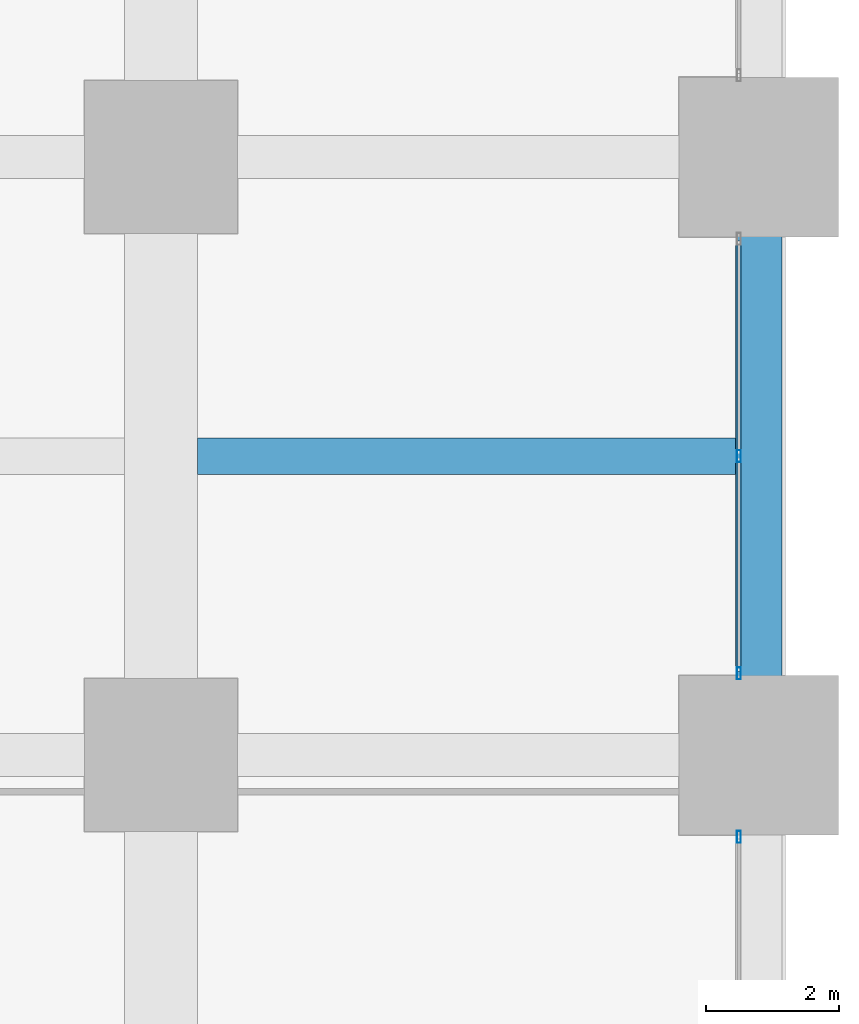
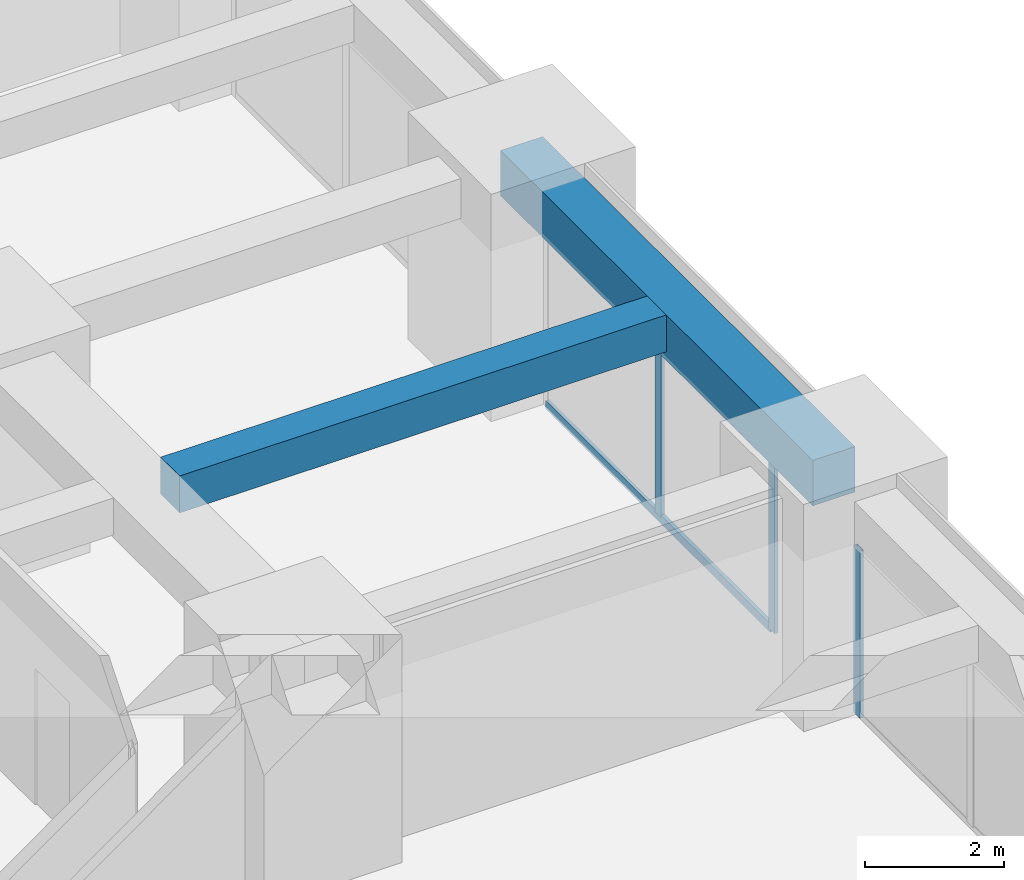
# One storey, part 20 of 45: 4 members, 2 beams, 2 elements without a shape of their own.
"""IFC4 building model written with IfcOpenShell, lengths in metres."""

from ifc_helpers import new_model, si_unit, direction, frame, origin, origin_2d, place, context, subcontext, project, spatial, rectangle, hollow_rectangle, extrude, material, material_profile, profile_set, type_object, element, aggregate, save


model = new_model("IFC4")

# Units and contexts
model_context = context("Model", 3, precision=1e-05, world=origin(), true_north=direction((0.0, 1.0)))
body_context = subcontext(model_context, "Body", "Model", "MODEL_VIEW")
ifc_project = project(units=[si_unit("LENGTHUNIT", "METRE"), si_unit("AREAUNIT", "SQUARE_METRE"), si_unit("VOLUMEUNIT", "CUBIC_METRE"), si_unit("PLANEANGLEUNIT", "RADIAN"), si_unit("MASSUNIT", "GRAM", prefix="KILO")], contexts=[model_context])

# Site, building, storey
site_placement = place(None, origin())
site = spatial("IfcSite", under=ifc_project, at=site_placement, CompositionType="ELEMENT")
building_placement = place(site_placement, origin())
building = spatial("IfcBuilding", under=site, at=building_placement, Name="Zorevar Civic Tower", CompositionType="ELEMENT")
storey_placement = place(building_placement, frame((0.0, 0.0, 47.800048828125)))
storey = spatial("IfcBuildingStorey", under=building, at=storey_placement, Name="L11", CompositionType="ELEMENT", Elevation=47.800048828125)

# Beam
ifc_material_1 = material(Name="Concrete C50/60", Category="concrete")
ifc_material_profile_1 = material_profile(ifc_material_1, rectangle(XDim=0.550048828125, YDim=0.64990234375, at=origin_2d()), Name="RC 550x650")
ifc_profile_set_1 = profile_set([ifc_material_profile_1], Name="Concrete C50/60")
beam_type_1 = type_object("IfcBeamType", Name="Beam RC 550x650", PredefinedType="BEAM", material=ifc_profile_set_1)
beam_1_placement = place(storey_placement, frame((54.550048828125, 22.5, 3.425048828125), z_axis=(1.0, 0.0, 0.0), x_axis=(0.0, 1.0, 0.0)))
element("IfcBeam", 1, at=beam_1_placement, inside=storey, type_object=beam_type_1, Name="Secondary beam L12", PredefinedType="BEAM", context=body_context, shape_type="SweptSolid", body=[
    extrude(rectangle(XDim=0.550048828125, YDim=0.64990234375, at=origin_2d()), origin(), (0.0, 0.0, 1.0), 8.099853515625),
])

# Curtain wall, member
ifc_material_2 = material(Name="Dark grey solar-control glass in black aluminium frame", Category="aluminium")
curtain_wall_type = type_object("IfcCurtainWallType", Name="Curtain wall CW2 low zone", PredefinedType="NOTDEFINED", material=ifc_material_2)
curtain_wall_1_placement = place(storey_placement, origin())
curtain_wall_1 = element("IfcCurtainWall", 2, at=curtain_wall_1_placement, inside=storey, type_object=curtain_wall_type, Name="CW2 L11", PredefinedType="NOTDEFINED")
ifc_material_3 = material(Name="Aluminium, black anodised", Category="aluminium")
ifc_material_profile_2 = material_profile(ifc_material_3, hollow_rectangle(XDim=0.06005859375, YDim=0.179931640625, WallThickness=0.00390625, at=origin_2d()), Name="AL 180x60x4")
ifc_profile_set_2 = profile_set([ifc_material_profile_2], Name="Aluminium, black anodised")
member_type_1 = type_object("IfcMemberType", Name="CW2 mullion AL 180x60x4", PredefinedType="MULLION", material=ifc_profile_set_2)
member_1_placement = place(storey_placement, frame((62.699951171875, 16.77001953125, 0.0), z_axis=(0.0, 0.0, 1.0), x_axis=(-1.0, 0.0, 0.0)))
member_1 = element("IfcMember", 3, at=member_1_placement, type_object=member_type_1, Name="CW2 mullion 3", PredefinedType="MULLION", context=body_context, shape_type="SweptSolid", body=[
    extrude(hollow_rectangle(XDim=0.06005859375, YDim=0.179931640625, WallThickness=0.00390625, at=origin_2d()), origin(), (0.0, 0.0, 1.0), 2.949951171875),
])
aggregate(curtain_wall_1, [member_1])

# Curtain wall, members
curtain_wall_2_placement = place(storey_placement, origin())
curtain_wall_2 = element("IfcCurtainWall", 4, at=curtain_wall_2_placement, inside=storey, type_object=curtain_wall_type, Name="CW2 L11", PredefinedType="NOTDEFINED")
member_2_placement = place(storey_placement, frame((62.699951171875, 19.22998046875, 0.0), z_axis=(0.0, 0.0, 1.0), x_axis=(-1.0, 0.0, 0.0)))
member_2 = element("IfcMember", 5, at=member_2_placement, type_object=member_type_1, Name="CW2 mullion 1", PredefinedType="MULLION", context=body_context, shape_type="SweptSolid", body=[
    extrude(hollow_rectangle(XDim=0.06005859375, YDim=0.179931640625, WallThickness=0.00390625, at=origin_2d()), origin(), (0.0, 0.0, 1.0), 2.949951171875),
])
member_3_placement = place(storey_placement, frame((62.699951171875, 22.5, 0.06005859375), z_axis=(0.0, 0.0, 1.0), x_axis=(-1.0, 0.0, 0.0)))
member_3 = element("IfcMember", 6, at=member_3_placement, type_object=member_type_1, Name="CW2 mullion 2", PredefinedType="MULLION", context=body_context, shape_type="SweptSolid", body=[
    extrude(hollow_rectangle(XDim=0.06005859375, YDim=0.179931640625, WallThickness=0.00390625, at=origin_2d()), origin(), (0.0, 0.0, 1.0), 2.889892578125),
])
ifc_material_4 = material(Name="Aluminium, black anodised", Category="aluminium")
ifc_material_profile_3 = material_profile(ifc_material_4, hollow_rectangle(XDim=0.06005859375, YDim=0.14990234375, WallThickness=0.00390625, at=origin_2d()), Name="AL 150x60x4")
ifc_profile_set_3 = profile_set([ifc_material_profile_3], Name="Aluminium, black anodised")
member_type_2 = type_object("IfcMemberType", Name="CW2 transom AL 150x60x4", PredefinedType="USERDEFINED", material=ifc_profile_set_3)
member_4_placement = place(storey_placement, frame((62.699951171875, 19.260009765625, 0.030029296875), z_axis=(0.0, 1.0, 0.0), x_axis=(-1.0, 0.0, 0.0)))
member_4 = element("IfcMember", 7, at=member_4_placement, type_object=member_type_2, Name="CW2 sill transom", ObjectType="TRANSOM", PredefinedType="USERDEFINED", context=body_context, shape_type="SweptSolid", body=[
    extrude(hollow_rectangle(XDim=0.06005859375, YDim=0.14990234375, WallThickness=0.00390625, at=origin_2d()), origin(), (0.0, 0.0, 1.0), 6.47998046875),
])
aggregate(curtain_wall_2, [member_2, member_3, member_4])

# Beam
ifc_material_5 = material(Name="Concrete C50/60", Category="concrete")
ifc_material_profile_4 = material_profile(ifc_material_5, rectangle(XDim=0.699951171875, YDim=0.800048828125, at=origin_2d()), Name="RC 700x800")
ifc_profile_set_4 = profile_set([ifc_material_profile_4], Name="Concrete C50/60")
beam_type_2 = type_object("IfcBeamType", Name="Edge beam RC 700x800", PredefinedType="SPANDREL", material=ifc_profile_set_4)
beam_2_placement = place(storey_placement, frame((63.0, 18.0, 3.349853515625), z_axis=(0.0, 1.0, 0.0), x_axis=(-1.0, 0.0, 0.0)))
element("IfcBeam", 8, at=beam_2_placement, inside=storey, type_object=beam_type_2, Name="Edge beam L12", PredefinedType="SPANDREL", context=body_context, shape_type="SweptSolid", body=[
    extrude(rectangle(XDim=0.699951171875, YDim=0.800048828125, at=origin_2d()), origin(), (0.0, 0.0, 1.0), 9.0),
])

save(model, "model.ifc")
